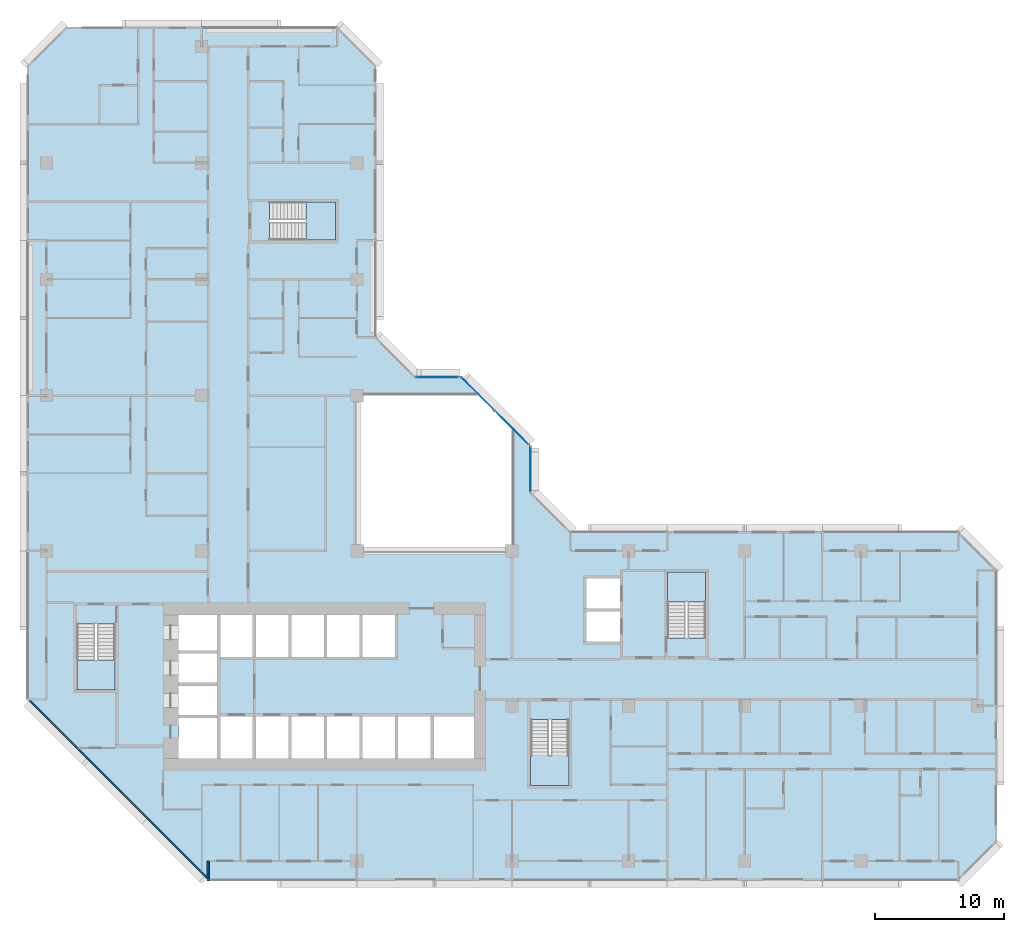
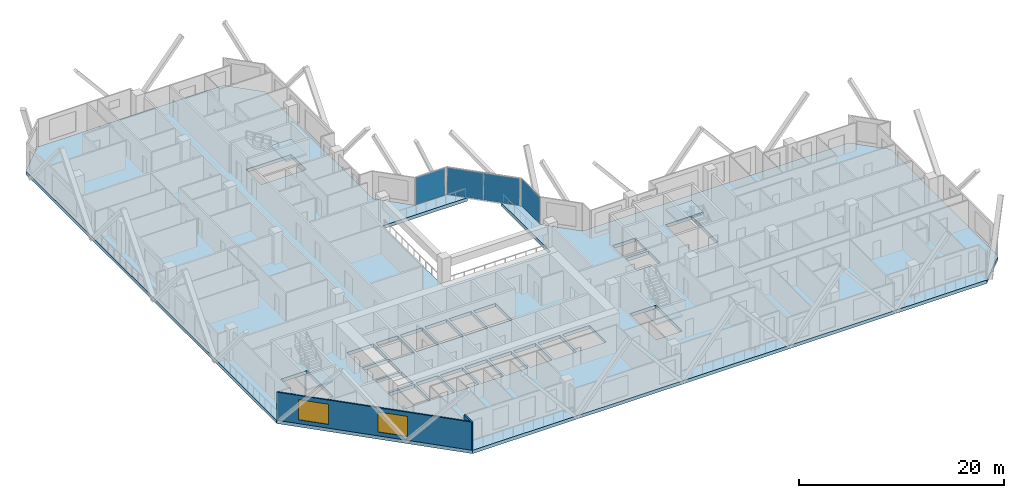
# One storey, part 3 of 15: 5 slabs, 4 plates, 2 walls, 2 windows, 2 openings, 7 elements without a shape of their own.
"""IFC4 building model written with IfcOpenShell, lengths in metres."""

from ifc_helpers import new_model, si_unit, direction, frame, frame_2d, origin, origin_2d, place, context, subcontext, project, spatial, polyline, rectangle, outline, extrude, material, layer, layer_set, type_object, element, fill, aggregate, save


model = new_model("IFC4")

# Units and contexts
model_context = context("Model", 3, precision=1e-05, world=origin(), true_north=direction((0.0, 1.0)))
body_context = subcontext(model_context, "Body", "Model", "MODEL_VIEW")
ifc_project = project(units=[si_unit("LENGTHUNIT", "METRE"), si_unit("AREAUNIT", "SQUARE_METRE"), si_unit("VOLUMEUNIT", "CUBIC_METRE"), si_unit("PLANEANGLEUNIT", "RADIAN"), si_unit("MASSUNIT", "GRAM", prefix="KILO")], contexts=[model_context])

# Site, building, storey
site_placement = place(None, origin())
site = spatial("IfcSite", under=ifc_project, at=site_placement, CompositionType="ELEMENT")
building_placement = place(site_placement, origin())
building = spatial("IfcBuilding", under=site, at=building_placement, Name="Chenar Terraces", CompositionType="ELEMENT")
storey_placement = place(building_placement, frame((0.0, 0.0, 114.39990234375)))
storey = spatial("IfcBuildingStorey", under=building, at=storey_placement, Name="L26", CompositionType="ELEMENT", Elevation=114.39990234375)

# Curtain wall, plate
ifc_material_1 = material(Name="Aluminium framed glazing", Category="aluminium")
ifc_layer_1 = layer(ifc_material_1, 0.14990234375)
ifc_layer_set_1 = layer_set([ifc_layer_1], Name="Aluminium framed glazing")
curtain_wall_type = type_object("IfcCurtainWallType", Name="Atrium curtain wall", PredefinedType="NOTDEFINED", material=ifc_layer_set_1)
placement_1 = place(storey_placement, origin())
curtain_wall_1 = element("IfcCurtainWall", 1, at=placement_1, inside=storey, type_object=curtain_wall_type, Name="Atrium curtain wall", PredefinedType="NOTDEFINED")
ifc_material_2 = material(Name="Low emissivity laminated glass, solar control coating", Category="glass")
ifc_layer_2 = layer(ifc_material_2, 0.028076171875)
ifc_layer_set_2 = layer_set([ifc_layer_2], Name="Low emissivity laminated glass, solar control coating")
plate_type = type_object("IfcPlateType", Name="Atrium glazing panel 28", PredefinedType="CURTAIN_PANEL", material=ifc_layer_set_2)
plate_1_placement = place(storey_placement, frame((37.425048828125, 30.300048828125, 0.06005859375), z_axis=(0.0, 0.0, 1.0), x_axis=(0.0, 1.0, 0.0)))
plate_1 = element("IfcPlate", 2, at=plate_1_placement, type_object=plate_type, Name="CW1-1 panel 1.1", PredefinedType="CURTAIN_PANEL", context=body_context, shape_type="SweptSolid", body=[
    extrude(rectangle(XDim=3.47998046875, YDim=0.028076171875, at=origin_2d()), origin(), (0.0, 0.0, 1.0), 3.22998046875),
])
aggregate(curtain_wall_1, [plate_1])

# Curtain wall, plates
curtain_wall_2 = element("IfcCurtainWall", 3, at=placement_1, inside=storey, type_object=curtain_wall_type, Name="Atrium curtain wall", PredefinedType="NOTDEFINED")
plate_2_placement = place(storey_placement, frame((35.980224609375, 33.513671875, 0.06005859375), z_axis=(0.0, 0.0, 1.0), x_axis=(-0.707106781187, 0.707106781187, 0.0)))
plate_2 = element("IfcPlate", 4, at=plate_2_placement, type_object=plate_type, Name="CW1-2 panel 1.1", PredefinedType="CURTAIN_PANEL", context=body_context, shape_type="SweptSolid", body=[
    extrude(rectangle(XDim=3.62841796875, YDim=0.028076171875, at=origin_2d()), origin(), (0.0, 0.0, 1.0), 3.22998046875),
])
plate_3_placement = place(storey_placement, frame((33.3720703125, 36.121826171875, 0.06005859375), z_axis=(0.0, 0.0, 1.0), x_axis=(-0.707106781187, 0.707106781187, 0.0)))
plate_3 = element("IfcPlate", 5, at=plate_3_placement, type_object=plate_type, Name="CW1-2 panel 2.1", PredefinedType="CURTAIN_PANEL", context=body_context, shape_type="SweptSolid", body=[
    extrude(rectangle(XDim=3.62841796875, YDim=0.028076171875, at=origin_2d()), origin(), (0.0, 0.0, 1.0), 3.22998046875),
])
aggregate(curtain_wall_2, [plate_2, plate_3])

# Curtain wall, plate
curtain_wall_3 = element("IfcCurtainWall", 6, at=placement_1, inside=storey, type_object=curtain_wall_type, Name="Atrium curtain wall", PredefinedType="NOTDEFINED")
plate_4_placement = place(storey_placement, frame((30.199951171875, 37.425048828125, 0.06005859375), z_axis=(0.0, 0.0, 1.0), x_axis=(-1.0, 0.0, 0.0)))
plate_4 = element("IfcPlate", 7, at=plate_4_placement, type_object=plate_type, Name="CW1-3 panel 1.1", PredefinedType="CURTAIN_PANEL", context=body_context, shape_type="SweptSolid", body=[
    extrude(rectangle(XDim=3.280029296875, YDim=0.028076171875, at=origin_2d()), origin(), (0.0, 0.0, 1.0), 3.22998046875),
])
aggregate(curtain_wall_3, [plate_4])

# Stair, slab
ifc_material_3 = material(Name="Reinforced concrete C40/50", Category="concrete")
stair_type = type_object("IfcStairType", Name="Core stair 1400 half-turn", PredefinedType="HALF_TURN_STAIR", material=ifc_material_3)
stair_1 = element("IfcStair", 8, at=placement_1, inside=storey, type_object=stair_type, Name="L26 Stair 1", PredefinedType="HALF_TURN_STAIR")
ifc_material_4 = material(Name="Reinforced concrete C40/50", Category="concrete")
ifc_layer_3 = layer(ifc_material_4, 0.199951171875)
ifc_layer_set_3 = layer_set([ifc_layer_3], Name="Reinforced concrete C40/50")
slab_type_1 = type_object("IfcSlabType", Name="Core stair landing 200", PredefinedType="LANDING", material=ifc_layer_set_3)
placement_2 = place(storey_placement, frame((0.0, 0.0, 1.675048828125)))
slab_1 = element("IfcSlab", 9, at=placement_2, type_object=slab_type_1, Name="ST1 landing 1", PredefinedType="LANDING", context=body_context, shape_type="SweptSolid", body=[
    extrude(outline(polyline([(2.35009765625, 15.550048828125), (2.35009765625, 13.25), (5.300048828125, 13.25), (5.300048828125, 15.550048828125), (2.35009765625, 15.550048828125)])), origin(), (0.0, 0.0, 1.0), 0.199951171875),
])
aggregate(stair_1, [slab_1])

stair_2 = element("IfcStair", 10, at=placement_1, inside=storey, type_object=stair_type, Name="L26 Stair 2", PredefinedType="HALF_TURN_STAIR")
slab_2 = element("IfcSlab", 11, at=placement_2, type_object=slab_type_1, Name="ST2 landing 1", PredefinedType="LANDING", context=body_context, shape_type="SweptSolid", body=[
    extrude(outline(polyline([(37.449951171875, 8.14990234375), (37.449951171875, 5.85009765625), (40.39990234375, 5.85009765625), (40.39990234375, 8.14990234375), (37.449951171875, 8.14990234375)])), origin(), (0.0, 0.0, 1.0), 0.199951171875),
])
aggregate(stair_2, [slab_2])

stair_3 = element("IfcStair", 12, at=placement_1, inside=storey, type_object=stair_type, Name="L26 Stair 3", PredefinedType="HALF_TURN_STAIR")
slab_3 = element("IfcSlab", 13, at=placement_2, type_object=slab_type_1, Name="ST3 landing 1", PredefinedType="LANDING", context=body_context, shape_type="SweptSolid", body=[
    extrude(outline(polyline([(50.97509765625, 20.050048828125), (50.97509765625, 22.35009765625), (48.02490234375, 22.35009765625), (48.02490234375, 20.050048828125), (50.97509765625, 20.050048828125)])), origin(), (0.0, 0.0, 1.0), 0.199951171875),
])
aggregate(stair_3, [slab_3])

stair_4 = element("IfcStair", 14, at=placement_1, inside=storey, type_object=stair_type, Name="L26 Stair 4", PredefinedType="HALF_TURN_STAIR")
slab_4 = element("IfcSlab", 15, at=placement_2, type_object=slab_type_1, Name="ST4 landing 1", PredefinedType="LANDING", context=body_context, shape_type="SweptSolid", body=[
    extrude(outline(polyline([(20.050048828125, 48.02490234375), (22.35009765625, 48.02490234375), (22.35009765625, 50.97509765625), (20.050048828125, 50.97509765625), (20.050048828125, 48.02490234375)])), origin(), (0.0, 0.0, 1.0), 0.199951171875),
])
aggregate(stair_4, [slab_4])

# Slab
ifc_material_5 = material(Name="Concrete C40/50", Category="concrete")
ifc_layer_4 = layer(ifc_material_5, 0.39990234375)
ifc_layer_set_4 = layer_set([ifc_layer_4], Name="Concrete C40/50")
slab_type_2 = type_object("IfcSlabType", Name="Floor slab 400 Concrete C40/50", PredefinedType="FLOOR", material=ifc_layer_set_4)
slab_5_placement = place(storey_placement, frame((0.0, 0.0, -0.39990234375)))
element("IfcSlab", 16, at=slab_5_placement, inside=storey, type_object=slab_type_2, Name="Floor slab L26", PredefinedType="FLOOR", context=body_context, shape_type="SweptSolid", body=[
    extrude(outline(polyline([(73.5, 22.5), (73.5, 1.5), (70.5, -1.5), (12.5, -1.5), (-1.5, 12.5), (-1.5, 61.5), (1.5, 64.5), (22.5, 64.5), (25.5, 61.5), (25.5, 40.5), (28.5, 37.5), (32.10009765625, 37.5), (33.60009765625, 36.0), (24.0, 36.0), (24.0, 24.0), (36.0, 24.0), (36.0, 33.60009765625), (37.5, 32.10009765625), (37.5, 28.5), (40.5, 25.5), (70.5, 25.5), (73.5, 22.5)]), holes=[polyline([(13.199951171875, 11.050048828125), (10.199951171875, 11.050048828125), (10.199951171875, 7.949951171875), (13.199951171875, 7.949951171875), (13.199951171875, 11.050048828125)]), polyline([(15.949951171875, 11.199951171875), (13.449951171875, 11.199951171875), (13.449951171875, 7.949951171875), (15.949951171875, 7.949951171875), (15.949951171875, 11.199951171875)]), polyline([(18.699951171875, 11.199951171875), (16.199951171875, 11.199951171875), (16.199951171875, 7.949951171875), (18.699951171875, 7.949951171875), (18.699951171875, 11.199951171875)]), polyline([(21.449951171875, 7.949951171875), (21.449951171875, 11.199951171875), (18.949951171875, 11.199951171875), (18.949951171875, 7.949951171875), (21.449951171875, 7.949951171875)]), polyline([(13.199951171875, 11.300048828125), (13.199951171875, 13.550048828125), (10.199951171875, 13.550048828125), (10.199951171875, 11.300048828125), (13.199951171875, 11.300048828125)]), polyline([(13.199951171875, 16.050048828125), (10.199951171875, 16.050048828125), (10.199951171875, 13.800048828125), (13.199951171875, 13.800048828125), (13.199951171875, 16.050048828125)]), polyline([(2.35009765625, 18.35009765625), (2.35009765625, 13.25), (5.300048828125, 13.25), (5.300048828125, 18.35009765625), (2.35009765625, 18.35009765625)]), polyline([(15.949951171875, 15.800048828125), (15.949951171875, 19.050048828125), (13.449951171875, 19.050048828125), (13.449951171875, 15.800048828125), (15.949951171875, 15.800048828125)]), polyline([(18.699951171875, 19.050048828125), (16.199951171875, 19.050048828125), (16.199951171875, 15.800048828125), (18.699951171875, 15.800048828125), (18.699951171875, 19.050048828125)]), polyline([(21.449951171875, 15.800048828125), (21.449951171875, 19.050048828125), (18.949951171875, 19.050048828125), (18.949951171875, 15.800048828125), (21.449951171875, 15.800048828125)]), polyline([(13.199951171875, 16.300048828125), (13.199951171875, 19.050048828125), (10.199951171875, 19.050048828125), (10.199951171875, 16.300048828125), (13.199951171875, 16.300048828125)]), polyline([(22.35009765625, 48.02490234375), (22.35009765625, 50.97509765625), (17.25, 50.97509765625), (17.25, 48.02490234375), (22.35009765625, 48.02490234375)]), polyline([(37.449951171875, 10.949951171875), (37.449951171875, 5.85009765625), (40.39990234375, 5.85009765625), (40.39990234375, 10.949951171875), (37.449951171875, 10.949951171875)]), polyline([(24.199951171875, 7.949951171875), (24.199951171875, 11.199951171875), (21.699951171875, 11.199951171875), (21.699951171875, 7.949951171875), (24.199951171875, 7.949951171875)]), polyline([(26.949951171875, 11.199951171875), (24.449951171875, 11.199951171875), (24.449951171875, 7.949951171875), (26.949951171875, 7.949951171875), (26.949951171875, 11.199951171875)]), polyline([(29.699951171875, 7.949951171875), (29.699951171875, 11.199951171875), (27.199951171875, 11.199951171875), (27.199951171875, 7.949951171875), (29.699951171875, 7.949951171875)]), polyline([(33.050048828125, 7.949951171875), (33.050048828125, 11.199951171875), (29.949951171875, 11.199951171875), (29.949951171875, 7.949951171875), (33.050048828125, 7.949951171875)]), polyline([(24.199951171875, 19.050048828125), (21.699951171875, 19.050048828125), (21.699951171875, 15.800048828125), (24.199951171875, 15.800048828125), (24.199951171875, 19.050048828125)]), polyline([(26.949951171875, 15.800048828125), (26.949951171875, 19.050048828125), (24.449951171875, 19.050048828125), (24.449951171875, 15.800048828125), (26.949951171875, 15.800048828125)]), polyline([(44.35009765625, 17.0), (44.35009765625, 19.300048828125), (41.75, 19.300048828125), (41.75, 17.0), (44.35009765625, 17.0)]), polyline([(50.97509765625, 22.35009765625), (48.02490234375, 22.35009765625), (48.02490234375, 17.25), (50.97509765625, 17.25), (50.97509765625, 22.35009765625)]), polyline([(44.35009765625, 19.550048828125), (44.35009765625, 21.85009765625), (41.75, 21.85009765625), (41.75, 19.550048828125), (44.35009765625, 19.550048828125)])]), origin(), (0.0, 0.0, 1.0), 0.39990234375),
])

# Wall
ifc_material_6 = material(Name="Terracotta cladding on insulated backing", Category="masonry")
ifc_layer_5 = layer(ifc_material_6, 0.14990234375)
ifc_layer_set_5 = layer_set([ifc_layer_5], Name="Terracotta cladding on insulated backing")
wall_type_1 = type_object("IfcWallType", Name="Loggia return wall 150", PredefinedType="SOLIDWALL", material=ifc_layer_set_5)
wall_1_placement = place(storey_placement, frame((12.5, -1.5, 0.0), z_axis=(0.0, 0.0, 1.0), x_axis=(0.0, 1.0, 0.0)))
element("IfcWall", 17, at=wall_1_placement, inside=storey, type_object=wall_type_1, Name="Loggia return wall", PredefinedType="SOLIDWALL", context=body_context, shape_type="SweptSolid", body=[
    extrude(rectangle(XDim=1.5, YDim=0.14990234375, at=frame_2d((0.75, 0.0))), origin(), (0.0, 0.0, 1.0), 3.35009765625),
])

# Wall, openings, windows
ifc_material_7 = material(Name="Terracotta cladding on insulated backing", Category="masonry")
ifc_layer_6 = layer(ifc_material_7, 0.14990234375)
ifc_layer_set_6 = layer_set([ifc_layer_6], Name="Terracotta cladding on insulated backing")
wall_type_2 = type_object("IfcWallType", Name="Terracotta rainscreen wall 150", PredefinedType="SOLIDWALL", material=ifc_layer_set_6)
wall_2_placement = place(storey_placement, frame((-1.447021484375, 12.552978515625, 0.0), z_axis=(0.0, 0.0, 1.0), x_axis=(0.707106781187, -0.707106781187, 0.0)))
wall_2 = element("IfcWall", 18, at=wall_2_placement, inside=storey, type_object=wall_type_2, Name="Terracotta rainscreen wall", PredefinedType="SOLIDWALL", context=body_context, shape_type="SweptSolid", body=[
    extrude(rectangle(XDim=19.799072265625, YDim=0.14990234375, at=frame_2d((9.8994140625, 0.0))), origin(), (0.0, 0.0, 1.0), 3.35009765625),
])
opening_1_placement = place(wall_2_placement, frame((2.21240234375, 0.0, 0.449951171875)))
opening_1 = element("IfcOpeningElement", 19, at=opening_1_placement, cuts=wall_2, Name="Opening W300x240", PredefinedType="OPENING", context=body_context, shape_type="SweptSolid", body=[
    extrude(rectangle(XDim=3.0, YDim=2.39990234375, at=frame_2d((1.5, 1.199951171875))), frame((0.0, 0.0849609375, 0.0), z_axis=(0.0, -1.0, 0.0), x_axis=(1.0, 0.0, 0.0)), (0.0, 0.0, 1.0), 0.169921875),
])
opening_2_placement = place(wall_2_placement, frame((10.215576171875, 0.0, 0.449951171875)))
opening_2 = element("IfcOpeningElement", 20, at=opening_2_placement, cuts=wall_2, Name="Opening W300x240", PredefinedType="OPENING", context=body_context, shape_type="SweptSolid", body=[
    extrude(rectangle(XDim=3.0, YDim=2.39990234375, at=frame_2d((1.5, 1.199951171875))), frame((0.0, 0.0849609375, 0.0), z_axis=(0.0, -1.0, 0.0), x_axis=(1.0, 0.0, 0.0)), (0.0, 0.0, 1.0), 0.169921875),
])
ifc_material_8 = material(Name="Low emissivity double glazing, aluminium frame", Category="aluminium")
window_type = type_object("IfcWindowType", Name="Fixed light 3000 x 2400", PartitioningType="SINGLE_PANEL", PredefinedType="WINDOW", material=ifc_material_8)
window_1_placement = place(opening_1_placement, origin())
window_1 = element("IfcWindow", 21, at=window_1_placement, inside=storey, type_object=window_type, Name="Window", OverallHeight=2.39990234375, OverallWidth=3.0, PartitioningType="SINGLE_PANEL", PredefinedType="WINDOW", context=body_context, shape_type="SweptSolid", body=[
    extrude(rectangle(XDim=3.0, YDim=2.39990234375, at=frame_2d((1.5, 1.199951171875))), frame((0.0, 0.030029296875, 0.0), z_axis=(0.0, -1.0, 0.0), x_axis=(1.0, 0.0, 0.0)), (0.0, 0.0, 1.0), 0.06005859375),
])
fill(opening_1, window_1)
window_2_placement = place(opening_2_placement, origin())
window_2 = element("IfcWindow", 22, at=window_2_placement, inside=storey, type_object=window_type, Name="Window", OverallHeight=2.39990234375, OverallWidth=3.0, PartitioningType="SINGLE_PANEL", PredefinedType="WINDOW", context=body_context, shape_type="SweptSolid", body=[
    extrude(rectangle(XDim=3.0, YDim=2.39990234375, at=frame_2d((1.5, 1.199951171875))), frame((0.0, 0.030029296875, 0.0), z_axis=(0.0, -1.0, 0.0), x_axis=(1.0, 0.0, 0.0)), (0.0, 0.0, 1.0), 0.06005859375),
])
fill(opening_2, window_2)

save(model, "model.ifc")
